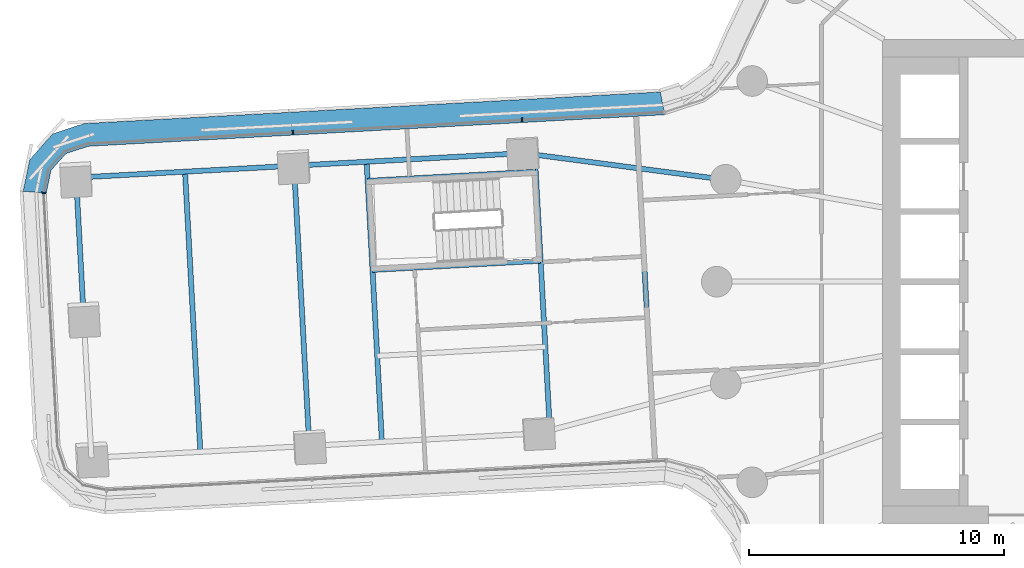
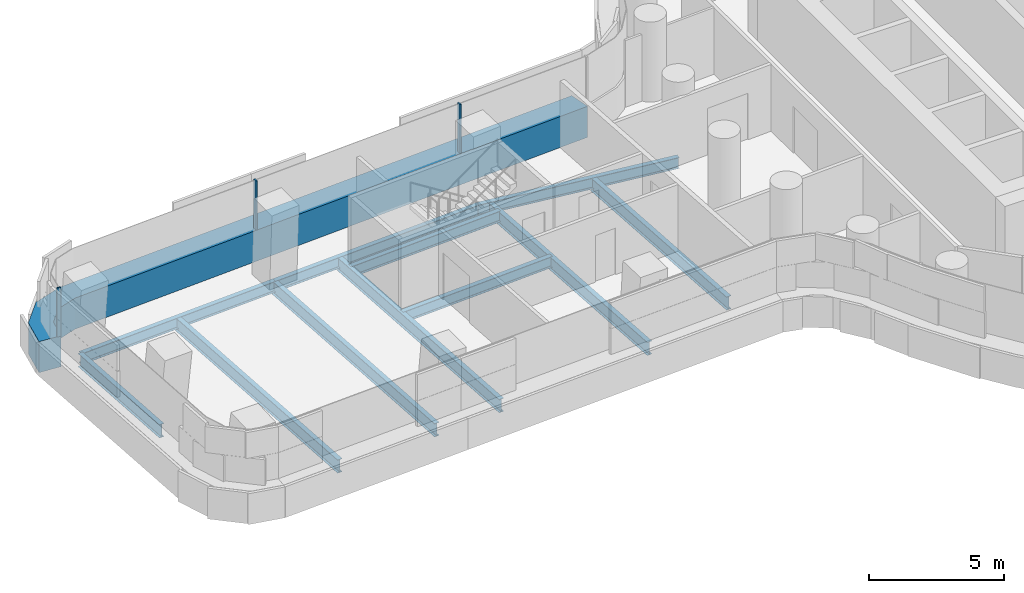
# One storey, part 6 of 31: 11 beams, 4 members, 2 elements without a shape of their own.
"""IFC4 building model written with IfcOpenShell, lengths in metres."""

from ifc_helpers import new_model, si_unit, direction, frame, origin, origin_2d, place, context, subcontext, project, spatial, polyline, rectangle, i_section, outline, extrude, material, layer, layer_set, material_profile, profile_set, type_object, element, aggregate, save


model = new_model("IFC4")

# Units and contexts
model_context = context("Model", 3, precision=1e-05, world=origin(), true_north=direction((0.0, 1.0)))
body_context = subcontext(model_context, "Body", "Model", "MODEL_VIEW")
ifc_project = project(units=[si_unit("LENGTHUNIT", "METRE"), si_unit("AREAUNIT", "SQUARE_METRE"), si_unit("VOLUMEUNIT", "CUBIC_METRE"), si_unit("PLANEANGLEUNIT", "RADIAN"), si_unit("MASSUNIT", "GRAM", prefix="KILO")], contexts=[model_context])

# Site, building, storey
site_placement = place(None, origin())
site = spatial("IfcSite", under=ifc_project, at=site_placement, CompositionType="ELEMENT")
building_placement = place(site_placement, origin())
building = spatial("IfcBuilding", under=site, at=building_placement, Name="Tamarind Cross Interchange Tower", CompositionType="ELEMENT")
storey_placement = place(building_placement, frame((0.0, 0.0, 45.25)))
storey = spatial("IfcBuildingStorey", under=building, at=storey_placement, Name="L09", CompositionType="ELEMENT", Elevation=45.25)

# Beams
ifc_material_1 = material(Name="Steel Q355B", Category="steel")
ifc_material_profile_1 = material_profile(ifc_material_1, i_section(OverallWidth=0.198974609375, OverallDepth=0.49609375, WebThickness=0.009033203125, FlangeThickness=0.013916015625, FilletRadius=0.012939453125, at=origin_2d()), Name="HN 496x199x9x14")
ifc_profile_set_1 = profile_set([ifc_material_profile_1], Name="Steel Q355B")
beam_type_1 = type_object("IfcBeamType", Name="Composite beam HN 496x199x9x14 Q355B", PredefinedType="BEAM", material=ifc_profile_set_1)
beam_1_placement = place(storey_placement, frame((-48.117431640625, 4.078125, -0.387939453125), z_axis=(0.998504116415, 0.054676590084, 0.0), x_axis=(-0.054676590084, 0.998504116415, 0.0)))
element("IfcBeam", 1, at=beam_1_placement, inside=storey, type_object=beam_type_1, Name="Beam W-edgeem5", PredefinedType="BEAM", context=body_context, shape_type="SweptSolid", body=[
    extrude(i_section(OverallWidth=0.198974609375, OverallDepth=0.49609375, WebThickness=0.009033203125, FlangeThickness=0.013916015625, FilletRadius=0.012939453125, at=origin_2d()), origin(), (0.0, 0.0, 1.0), 8.55517578125),
])
beam_2_placement = place(storey_placement, frame((-39.574951171875, 4.5458984375, -0.387939453125), z_axis=(0.99850501333, 0.054660208152, 0.0), x_axis=(-0.054660208152, 0.99850501333, 0.0)))
element("IfcBeam", 2, at=beam_2_placement, inside=storey, type_object=beam_type_1, Name="Beam W-edgeem6", PredefinedType="BEAM", context=body_context, shape_type="SweptSolid", body=[
    extrude(i_section(OverallWidth=0.198974609375, OverallDepth=0.49609375, WebThickness=0.009033203125, FlangeThickness=0.013916015625, FilletRadius=0.012939453125, at=origin_2d()), origin(), (0.0, 0.0, 1.0), 9.0),
])
beam_3_placement = place(storey_placement, frame((-30.58837890625, 5.037841796875, -0.387939453125), z_axis=(0.99146228573, -0.130393772761, 0.0), x_axis=(0.130393772761, 0.99146228573, 0.0)))
element("IfcBeam", 3, at=beam_3_placement, inside=storey, type_object=beam_type_1, Name="Beam W-linkem", PredefinedType="BEAM", context=body_context, shape_type="SweptSolid", body=[
    extrude(i_section(OverallWidth=0.198974609375, OverallDepth=0.49609375, WebThickness=0.009033203125, FlangeThickness=0.013916015625, FilletRadius=0.012939453125, at=origin_2d()), origin(), (0.0, 0.0, 1.0), 8.006103515625),
])
beam_4_placement = place(storey_placement, frame((-30.097900390625, 4.313720703125, -0.387939453125), z_axis=(-0.9985043108, -0.054673040098, 0.0), x_axis=(0.054673040098, -0.9985043108, 0.0)))
element("IfcBeam", 4, at=beam_4_placement, inside=storey, type_object=beam_type_1, Name="Beam W-tr0", PredefinedType="BEAM", context=body_context, shape_type="SweptSolid", body=[
    extrude(i_section(OverallWidth=0.198974609375, OverallDepth=0.49609375, WebThickness=0.009033203125, FlangeThickness=0.013916015625, FilletRadius=0.012939453125, at=origin_2d()), origin(), (0.0, 0.0, 1.0), 6.599853515625),
])
beam_5_placement = place(storey_placement, frame((-29.906494140625, 0.81884765625, -0.387939453125), z_axis=(-0.998504421366, -0.054671020774, 0.0), x_axis=(0.054671020774, -0.998504421366, 0.0)))
element("IfcBeam", 5, at=beam_5_placement, inside=storey, type_object=beam_type_1, Name="Beam W-tr1", PredefinedType="BEAM", context=body_context, shape_type="SweptSolid", body=[
    extrude(i_section(OverallWidth=0.198974609375, OverallDepth=0.49609375, WebThickness=0.009033203125, FlangeThickness=0.013916015625, FilletRadius=0.012939453125, at=origin_2d()), origin(), (0.0, 0.0, 1.0), 6.60009765625),
])
ifc_material_profile_2 = material_profile(ifc_material_1, i_section(OverallWidth=0.199951171875, OverallDepth=0.60009765625, WebThickness=0.010986328125, FlangeThickness=0.01708984375, FilletRadius=0.012939453125, at=origin_2d()), Name="HN 600x200x11x17")
ifc_profile_set_2 = profile_set([ifc_material_profile_2], Name="Steel Q355B")
beam_type_2 = type_object("IfcBeamType", Name="Composite beam HN 600x200x11x17 Q355B", PredefinedType="BEAM", material=ifc_profile_set_2)
beam_6_placement = place(storey_placement, frame((-48.117431640625, 4.078125, -0.43994140625), z_axis=(0.054685772478, -0.998503613558, 0.0), x_axis=(0.998503613558, 0.054685772478, 0.0)))
element("IfcBeam", 6, at=beam_6_placement, inside=storey, type_object=beam_type_2, Name="Beam W-tip0", PredefinedType="BEAM", context=body_context, shape_type="SweptSolid", body=[
    extrude(i_section(OverallWidth=0.199951171875, OverallDepth=0.60009765625, WebThickness=0.010986328125, FlangeThickness=0.01708984375, FilletRadius=0.012939453125, at=origin_2d()), origin(), (0.0, 0.0, 1.0), 5.500244140625),
])
beam_7_placement = place(storey_placement, frame((-30.13427734375, 4.978271484375, -0.43994140625), z_axis=(0.054662839996, -0.998504869254, 0.0), x_axis=(0.998504869254, 0.054662839996, 0.0)))
element("IfcBeam", 7, at=beam_7_placement, inside=storey, type_object=beam_type_2, Name="Beam W-x298", PredefinedType="BEAM", context=body_context, shape_type="SweptSolid", body=[
    extrude(i_section(OverallWidth=0.199951171875, OverallDepth=0.60009765625, WebThickness=0.010986328125, FlangeThickness=0.01708984375, FilletRadius=0.012939453125, at=origin_2d()), origin(), (0.0, 0.0, 1.0), 10.82177734375),
])
for number, where, z_axis, x_axis, name in (
    (8, (-36.72900390625, 4.70166015625, -0.43994140625), (0.054664856323, -0.998504758869, 0.0), (0.998504758869, 0.054664856323, 0.0), "Beam W-x364"),
    (9, (-39.574951171875, 4.5458984375, -0.43994140625), (0.05468698438, -0.998503547184, 0.0), (0.998503547184, 0.05468698438, 0.0), "Beam W-x393"),
):
    element("IfcBeam", number, at=place(storey_placement, frame(where, z_axis=z_axis, x_axis=x_axis)), inside=storey, type_object=beam_type_2, Name=name, PredefinedType="BEAM", context=body_context, shape_type="SweptSolid", body=[
        extrude(i_section(OverallWidth=0.199951171875, OverallDepth=0.60009765625, WebThickness=0.010986328125, FlangeThickness=0.01708984375, FilletRadius=0.012939453125, at=origin_2d()), origin(), (0.0, 0.0, 1.0), 11.0),
    ])
beam_8_placement = place(storey_placement, frame((-26.048828125, 4.44091796875, -0.43994140625), z_axis=(0.054661808522, -0.998504925721, 0.0), x_axis=(0.998504925721, 0.054661808522, 0.0)))
element("IfcBeam", 10, at=beam_8_placement, inside=storey, type_object=beam_type_2, Name="Beam W-x258", PredefinedType="BEAM", context=body_context, shape_type="SweptSolid", body=[
    extrude(i_section(OverallWidth=0.199951171875, OverallDepth=0.60009765625, WebThickness=0.010986328125, FlangeThickness=0.01708984375, FilletRadius=0.012939453125, at=origin_2d()), origin(), (0.0, 0.0, 1.0), 9.218505859375),
])
beam_9_placement = place(storey_placement, frame((-43.84619140625, 4.31201171875, -0.43994140625), z_axis=(0.05468698438, -0.998503547184, 0.0), x_axis=(0.998503547184, 0.05468698438, 0.0)))
element("IfcBeam", 11, at=beam_9_placement, inside=storey, type_object=beam_type_2, Name="Beam W-x436", PredefinedType="BEAM", context=body_context, shape_type="SweptSolid", body=[
    extrude(i_section(OverallWidth=0.199951171875, OverallDepth=0.60009765625, WebThickness=0.010986328125, FlangeThickness=0.01708984375, FilletRadius=0.012939453125, at=origin_2d()), origin(), (0.0, 0.0, 1.0), 11.0),
])

# Curtain wall, member
ifc_material_2 = material(Name="Aluminium 6063-T6", Category="aluminium")
ifc_layer = layer(ifc_material_2, 0.159912109375)
ifc_layer_set = layer_set([ifc_layer], Name="Aluminium 6063-T6")
curtain_wall_type = type_object("IfcCurtainWallType", Name="Office curtain wall, 9.0 m bays", PredefinedType="NOTDEFINED", material=ifc_layer_set)
curtain_wall_1_placement = place(storey_placement, origin())
curtain_wall_1 = element("IfcCurtainWall", 12, at=curtain_wall_1_placement, inside=storey, type_object=curtain_wall_type, Name="CWS-L09-15", PredefinedType="NOTDEFINED")
ifc_material_3 = material(Name="Aluminium and insulated spandrel panel", Category="aluminium")
member_type_1 = type_object("IfcMemberType", Name="Floor-edge blade transom", PredefinedType="USERDEFINED", material=ifc_material_3)
member_1_placement = place(storey_placement, origin())
member_1 = element("IfcMember", 13, at=member_1_placement, type_object=member_type_1, Name="CWT-L09-15", ObjectType="TRANSOM", PredefinedType="USERDEFINED", context=body_context, shape_type="SweptSolid", body=[
    extrude(outline(polyline([(-25.04296875, 6.54345703125), (-47.64453125, 5.3056640625), (-48.514404296875, 5.020751953125), (-49.097900390625, 4.36962890625), (-49.2861328125, 3.4736328125), (-50.19140625, 3.542724609375), (-49.92919921875, 4.79052734375), (-49.023681640625, 5.801025390625), (-47.81201171875, 6.197998046875), (-25.20947265625, 7.435546875), (-25.04296875, 6.54345703125)])), origin(), (0.0, 0.0, 1.0), 1.39990234375),
])

curtain_wall_2_placement = place(storey_placement, origin())
curtain_wall_2 = element("IfcCurtainWall", 14, at=curtain_wall_2_placement, inside=storey, type_object=curtain_wall_type, Name="CWS-L09-00", PredefinedType="NOTDEFINED")
ifc_material_profile_3 = material_profile(ifc_material_2, rectangle(XDim=0.06005859375, YDim=0.159912109375, at=origin_2d()), Name="Mullion CW1")
ifc_profile_set_3 = profile_set([ifc_material_profile_3], Name="Aluminium 6063-T6")
member_type_2 = type_object("IfcMemberType", Name="Mullion CW1", PredefinedType="MULLION", material=ifc_profile_set_3)
member_2_placement = place(storey_placement, frame((-49.38671875, 3.4814453125, 1.39990234375), z_axis=(0.0, 0.0, 1.0), x_axis=(-0.07612039058, -0.997098634107, 0.0)))
member_2 = element("IfcMember", 15, at=member_2_placement, type_object=member_type_2, Name="CWM-L09-00-00", PredefinedType="MULLION", context=body_context, shape_type="SweptSolid", body=[
    extrude(rectangle(XDim=0.06005859375, YDim=0.159912109375, at=origin_2d()), origin(), (0.0, 0.0, 1.0), 2.210205078125),
])
aggregate(curtain_wall_2, [member_2])

# Member
member_3_placement = place(storey_placement, frame((-30.63330078125, 6.33740234375, 1.39990234375), z_axis=(0.0, 0.0, 1.0), x_axis=(-0.998504021801, -0.054678317891, 0.0)))
member_3 = element("IfcMember", 16, at=member_3_placement, type_object=member_type_2, Name="CWM-L09-15-01", PredefinedType="MULLION", context=body_context, shape_type="SweptSolid", body=[
    extrude(rectangle(XDim=0.06005859375, YDim=0.159912109375, at=origin_2d()), origin(), (0.0, 0.0, 1.0), 2.210205078125),
])

member_4_placement = place(storey_placement, frame((-39.61962890625, 5.84521484375, 1.39990234375), z_axis=(0.0, 0.0, 1.0), x_axis=(-0.998504021801, -0.054678317891, 0.0)))
member_4 = element("IfcMember", 17, at=member_4_placement, type_object=member_type_2, Name="CWM-L09-15-02", PredefinedType="MULLION", context=body_context, shape_type="SweptSolid", body=[
    extrude(rectangle(XDim=0.06005859375, YDim=0.159912109375, at=origin_2d()), origin(), (0.0, 0.0, 1.0), 2.210205078125),
])

aggregate(curtain_wall_1, [member_3, member_4, member_1])

save(model, "model.ifc")
